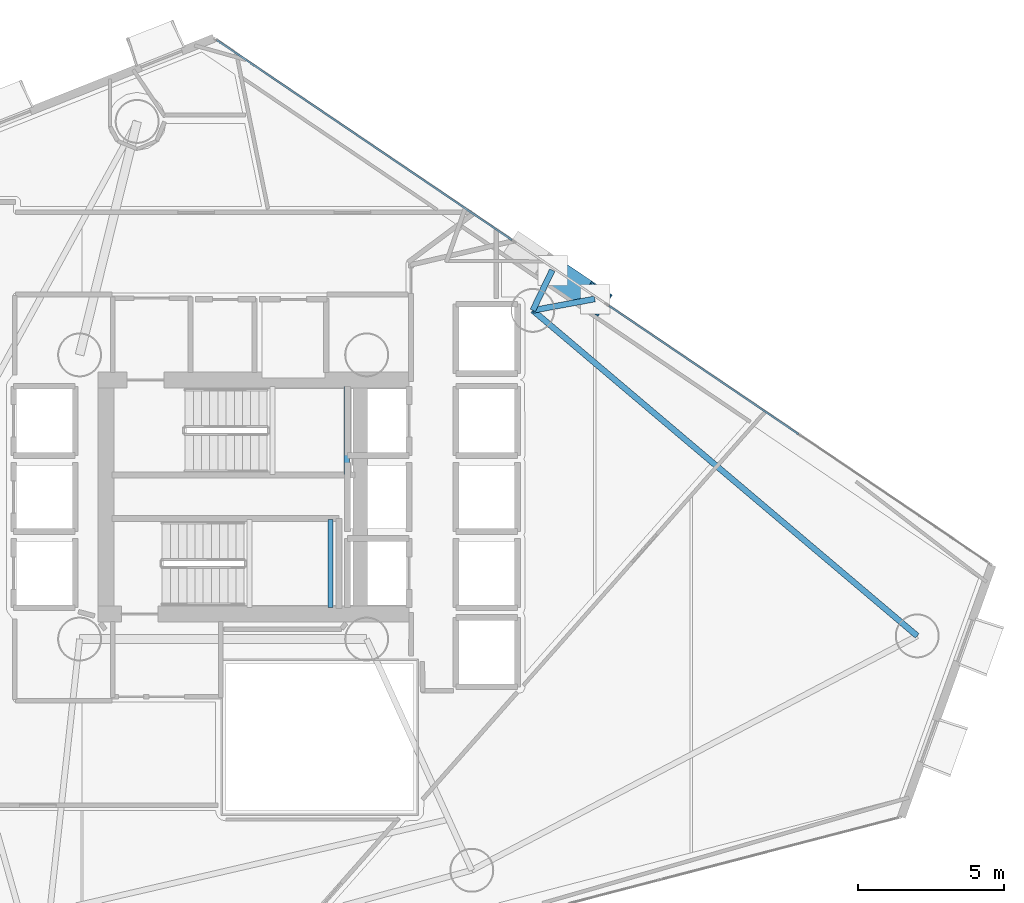
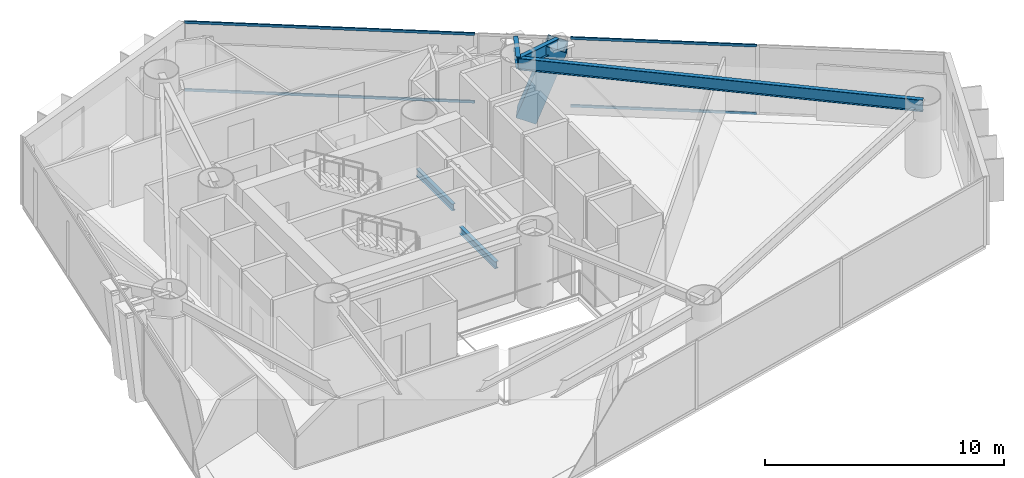
# One storey, part 10 of 21: 5 beams, 5 members, 2 elements without a shape of their own.
"""IFC4 building model written with IfcOpenShell, lengths in metres."""

from ifc_helpers import new_model, si_unit, direction, frame, origin, origin_2d, place, context, subcontext, project, spatial, hollow_rectangle, i_section, extrude, material, layer, layer_set, material_profile, profile_set, type_object, element, aggregate, save


model = new_model("IFC4")

# Units and contexts
model_context = context("Model", 3, precision=1e-05, world=origin(), true_north=direction((0.0, 1.0)))
body_context = subcontext(model_context, "Body", "Model", "MODEL_VIEW")
ifc_project = project(units=[si_unit("LENGTHUNIT", "METRE"), si_unit("AREAUNIT", "SQUARE_METRE"), si_unit("VOLUMEUNIT", "CUBIC_METRE"), si_unit("PLANEANGLEUNIT", "RADIAN"), si_unit("MASSUNIT", "GRAM", prefix="KILO")], contexts=[model_context])

# Site, building, storey
site_placement = place(None, origin())
site = spatial("IfcSite", under=ifc_project, at=site_placement, CompositionType="ELEMENT")
building_placement = place(site_placement, origin())
building = spatial("IfcBuilding", under=site, at=building_placement, Name="Qianvela Tower", CompositionType="ELEMENT")
storey_placement = place(building_placement, frame((0.0, 0.0, 105.199951171875)))
storey = spatial("IfcBuildingStorey", under=building, at=storey_placement, Name="L26", CompositionType="ELEMENT", Elevation=105.199951171875)

# Beams
ifc_material_1 = material(Name="Steel Q355B", Category="steel")
ifc_material_profile_1 = material_profile(ifc_material_1, i_section(OverallWidth=0.175048828125, OverallDepth=0.35009765625, WebThickness=0.007080078125, FlangeThickness=0.010986328125, at=origin_2d()), Name="HN350x175x7x11")
ifc_profile_set_1 = profile_set([ifc_material_profile_1], Name="Steel Q355B")
beam_type_1 = type_object("IfcBeamType", Name="BM-HN350-JOIST", PredefinedType="JOIST", material=ifc_profile_set_1)
for number, where, z_axis, x_axis, name in (
    (1, (37.719970703125, 29.4599609375, 1.47509765625), (0.0, 1.0, 0.0), (-1.0, 0.0, 0.0), "L26 Stair ST-1 Landing Support Beam 1.2"),
    (2, (37.169921875, 24.919921875, 1.47509765625), (0.0, 1.0, 0.0), (-1.0, 0.0, 0.0), "L26 Stair ST-2 Landing Support Beam 1.2"),
):
    element("IfcBeam", number, at=place(storey_placement, frame(where, z_axis=z_axis, x_axis=x_axis)), inside=storey, type_object=beam_type_1, Name=name, PredefinedType="JOIST", context=body_context, shape_type="SweptSolid", body=[
        extrude(i_section(OverallWidth=0.175048828125, OverallDepth=0.35009765625, WebThickness=0.007080078125, FlangeThickness=0.010986328125, at=origin_2d()), origin(), (0.0, 0.0, 1.0), 3.02001953125),
    ])
ifc_material_2 = material(Name="Steel Q355B", Category="steel")
ifc_material_profile_2 = material_profile(ifc_material_2, i_section(OverallWidth=0.199951171875, OverallDepth=0.60009765625, WebThickness=0.010986328125, FlangeThickness=0.01708984375, at=origin_2d()), Name="HN600x200x11x17")
ifc_profile_set_2 = profile_set([ifc_material_profile_2], Name="Steel Q355B")
beam_type_2 = type_object("IfcBeamType", Name="BM-HN600-GIRD", PredefinedType="BEAM", material=ifc_profile_set_2)
beam_1_placement = place(storey_placement, frame((44.071044921875, 35.070068359375, 3.218017578125), z_axis=(0.983449462577, 0.181182655232, 0.0), x_axis=(-0.181182655232, 0.983449462577, 0.0)))
element("IfcBeam", 3, at=beam_1_placement, inside=storey, type_object=beam_type_2, Name="L26 Mega-Brace Column Tie Bracket F1-1", PredefinedType="BEAM", context=body_context, shape_type="SweptSolid", body=[
    extrude(i_section(OverallWidth=0.199951171875, OverallDepth=0.60009765625, WebThickness=0.010986328125, FlangeThickness=0.01708984375, at=origin_2d()), origin(), (0.0, 0.0, 1.0), 2.150634765625),
])
beam_2_placement = place(storey_placement, frame((44.071044921875, 35.070068359375, 3.218017578125), z_axis=(0.435519075724, 0.900179501367, 0.0), x_axis=(-0.900179501367, 0.435519075724, 0.0)))
element("IfcBeam", 4, at=beam_2_placement, inside=storey, type_object=beam_type_2, Name="L26 Mega-Brace Column Tie Bracket F1-2", PredefinedType="BEAM", context=body_context, shape_type="SweptSolid", body=[
    extrude(i_section(OverallWidth=0.199951171875, OverallDepth=0.60009765625, WebThickness=0.010986328125, FlangeThickness=0.01708984375, at=origin_2d()), origin(), (0.0, 0.0, 1.0), 1.524658203125),
])
beam_3_placement = place(storey_placement, frame((57.194091796875, 23.9580078125, 3.218017578125), z_axis=(-0.763158437154, 0.646211420358, 0.0), x_axis=(-0.646211420358, -0.763158437154, 0.0)))
element("IfcBeam", 5, at=beam_3_placement, inside=storey, type_object=beam_type_2, Name="L26 Perimeter Ring Spandrel Girder 1", PredefinedType="BEAM", context=body_context, shape_type="SweptSolid", body=[
    extrude(i_section(OverallWidth=0.199951171875, OverallDepth=0.60009765625, WebThickness=0.010986328125, FlangeThickness=0.01708984375, at=origin_2d()), origin(), (0.0, 0.0, 1.0), 17.19580078125),
])

# Curtain wall, members
ifc_material_3 = material(Name="Anodised Architectural Aluminium and Low-E Glass", Category="aluminium")
ifc_layer = layer(ifc_material_3, 0.169921875)
ifc_layer_set = layer_set([ifc_layer], Name="Anodised Architectural Aluminium and Low-E Glass")
curtain_wall_type = type_object("IfcCurtainWallType", Name="CW-COLIV-Z34", PredefinedType="USERDEFINED", material=ifc_layer_set)
curtain_wall_1_placement = place(storey_placement, origin())
curtain_wall_1 = element("IfcCurtainWall", 6, at=curtain_wall_1_placement, inside=storey, type_object=curtain_wall_type, Name="L26 CW-COLIV-Z34 Curtain Wall 02A", ObjectType="CURTAIN_WALL_SYSTEM", PredefinedType="USERDEFINED")
ifc_material_4 = material(Name="Anodised Architectural Aluminium 6063-T6", Category="aluminium")
ifc_material_profile_3 = material_profile(ifc_material_4, hollow_rectangle(XDim=0.06494140625, YDim=0.1298828125, WallThickness=0.00439453125, at=origin_2d()), Name="ALU-TRAN-65x130")
ifc_profile_set_3 = profile_set([ifc_material_profile_3], Name="Anodised Architectural Aluminium 6063-T6")
member_type_1 = type_object("IfcMemberType", Name="CW-COLIV-Z34-TRAN", PredefinedType="USERDEFINED", material=ifc_profile_set_3)
member_1_placement = place(storey_placement, frame((53.13818359375, 30.84716796875, 0.032470703125), z_axis=(-0.827926189236, 0.56083707543, 0.0), x_axis=(-0.56083707543, -0.827926189236, 0.0)))
member_1 = element("IfcMember", 7, at=member_1_placement, type_object=member_type_1, Name="CW-4 transom 2.1", ObjectType="TRANSOM", PredefinedType="USERDEFINED", context=body_context, shape_type="SweptSolid", body=[
    extrude(hollow_rectangle(XDim=0.06494140625, YDim=0.1298828125, WallThickness=0.00439453125, at=origin_2d()), origin(), (0.0, 0.0, 1.0), 7.802490234375),
])
member_2_placement = place(storey_placement, frame((53.13818359375, 30.84716796875, 3.487548828125), z_axis=(-0.827926189236, 0.56083707543, 0.0), x_axis=(-0.56083707543, -0.827926189236, 0.0)))
member_2 = element("IfcMember", 8, at=member_2_placement, type_object=member_type_1, Name="CW-4 transom 2.2", ObjectType="TRANSOM", PredefinedType="USERDEFINED", context=body_context, shape_type="SweptSolid", body=[
    extrude(hollow_rectangle(XDim=0.06494140625, YDim=0.1298828125, WallThickness=0.00439453125, at=origin_2d()), origin(), (0.0, 0.0, 1.0), 7.802490234375),
])
aggregate(curtain_wall_1, [member_1, member_2])

curtain_wall_2_placement = place(storey_placement, origin())
curtain_wall_2 = element("IfcCurtainWall", 9, at=curtain_wall_2_placement, inside=storey, type_object=curtain_wall_type, Name="L26 CW-COLIV-Z34 Curtain Wall 02C", ObjectType="CURTAIN_WALL_SYSTEM", PredefinedType="USERDEFINED")
member_3_placement = place(storey_placement, frame((43.358154296875, 37.471923828125, 0.032470703125), z_axis=(-0.827931612628, 0.560829069156, 0.0), x_axis=(-0.560829069156, -0.827931612628, 0.0)))
member_3 = element("IfcMember", 10, at=member_3_placement, type_object=member_type_1, Name="CW-4 transom 1.1", ObjectType="TRANSOM", PredefinedType="USERDEFINED", context=body_context, shape_type="SweptSolid", body=[
    extrude(hollow_rectangle(XDim=0.06494140625, YDim=0.1298828125, WallThickness=0.00439453125, at=origin_2d()), origin(), (0.0, 0.0, 1.0), 12.16845703125),
])
member_4_placement = place(storey_placement, frame((43.358154296875, 37.471923828125, 3.487548828125), z_axis=(-0.827931612628, 0.560829069156, 0.0), x_axis=(-0.560829069156, -0.827931612628, 0.0)))
member_4 = element("IfcMember", 11, at=member_4_placement, type_object=member_type_1, Name="CW-4 transom 1.2", ObjectType="TRANSOM", PredefinedType="USERDEFINED", context=body_context, shape_type="SweptSolid", body=[
    extrude(hollow_rectangle(XDim=0.06494140625, YDim=0.1298828125, WallThickness=0.00439453125, at=origin_2d()), origin(), (0.0, 0.0, 1.0), 12.16845703125),
])
aggregate(curtain_wall_2, [member_3, member_4])

# Member
ifc_material_5 = material(Name="Steel Q420GJC", Category="steel")
ifc_material_profile_4 = material_profile(ifc_material_5, hollow_rectangle(XDim=0.89990234375, YDim=0.89990234375, WallThickness=0.035888671875, at=origin_2d()), Name="MBOX-900x900x36")
ifc_profile_set_4 = profile_set([ifc_material_profile_4], Name="Steel Q420GJC")
member_type_2 = type_object("IfcMemberType", Name="MBR-MBRACE-900", PredefinedType="BRACE", material=ifc_profile_set_4)
member_5_placement = place(storey_placement, frame((45.12060546875, 36.181396484375, -0.48193359375), z_axis=(0.271977418755, -0.184226684198, 0.94450453282), x_axis=(0.560814584973, 0.827941423823, 0.0)))
element("IfcMember", 12, at=member_5_placement, inside=storey, type_object=member_type_2, Name="L26 Tier 4 Exterior Mega-Brace F1A", PredefinedType="BRACE", context=body_context, shape_type="SweptSolid", body=[
    extrude(hollow_rectangle(XDim=0.89990234375, YDim=0.89990234375, WallThickness=0.035888671875, at=origin_2d()), origin(), (0.0, 0.0, 1.0), 3.917236328125),
])

save(model, "model.ifc")
